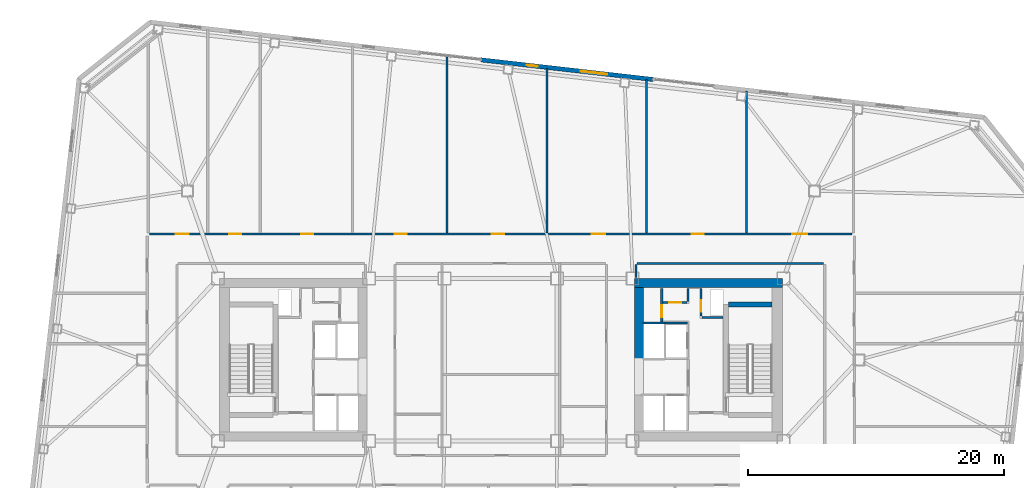
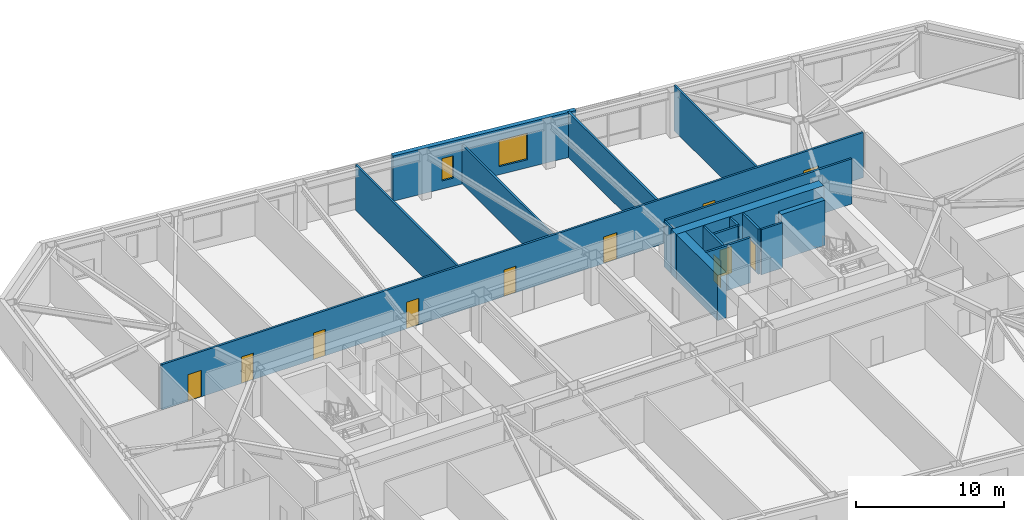
# One storey, part 13 of 19: 18 walls, 11 doors, 2 windows, 13 openings.
"""IFC4 building model written with IfcOpenShell, lengths in metres."""

from ifc_helpers import new_model, si_unit, direction, frame, frame_2d, origin, place, context, subcontext, project, spatial, rectangle, extrude, material, layer, layer_set, type_object, element, fill, save


model = new_model("IFC4")

# Units and contexts
model_context = context("Model", 3, precision=1e-05, world=origin(), true_north=direction((0.0, 1.0)))
body_context = subcontext(model_context, "Body", "Model", "MODEL_VIEW")
ifc_project = project(units=[si_unit("LENGTHUNIT", "METRE"), si_unit("AREAUNIT", "SQUARE_METRE"), si_unit("VOLUMEUNIT", "CUBIC_METRE"), si_unit("PLANEANGLEUNIT", "RADIAN"), si_unit("MASSUNIT", "GRAM", prefix="KILO")], contexts=[model_context])

# Site, building, storey
site_placement = place(None, origin())
site = spatial("IfcSite", under=ifc_project, at=site_placement, CompositionType="ELEMENT")
building_placement = place(site_placement, origin())
building = spatial("IfcBuilding", under=site, at=building_placement, Name="Tavrogorsk Clinical Tower", CompositionType="ELEMENT")
storey_placement = place(building_placement, frame((0.0, 0.0, 101.39990234375)))
storey = spatial("IfcBuildingStorey", under=building, at=storey_placement, Name="L22", CompositionType="ELEMENT", Elevation=101.39990234375)

# Wall, opening, door
ifc_material_1 = material(Name="Lightweight concrete blockwork B15", Category="masonry")
ifc_layer_1 = layer(ifc_material_1, 0.159912109375)
ifc_layer_set_1 = layer_set([ifc_layer_1], Name="Lightweight concrete blockwork B15")
wall_type_1 = type_object("IfcWallType", Name="PartitionWall_160", PredefinedType="PARTITIONING", material=ifc_layer_set_1)
wall_1_placement = place(storey_placement, frame((12.580078125, 2.9599609375, 0.0), z_axis=(0.0, 0.0, 1.0), x_axis=(0.0, 1.0, 0.0)))
wall_1 = element("IfcWall", 1, at=wall_1_placement, inside=storey, type_object=wall_type_1, Name="L22 Core East Linen Closet Wall", PredefinedType="PARTITIONING", context=body_context, shape_type="SweptSolid", body=[
    extrude(rectangle(XDim=2.60009765625, YDim=0.159912109375, at=frame_2d((1.300048828125, 0.0))), origin(), (0.0, 0.0, 1.0), 3.739990234375),
])
opening_1_placement = place(wall_1_placement, frame((0.35009765625, 0.0, 0.0)))
opening_1 = element("IfcOpeningElement", 2, at=opening_1_placement, cuts=wall_1, Name="Opening ID-02", PredefinedType="OPENING", context=body_context, shape_type="SweptSolid", body=[
    extrude(rectangle(XDim=0.949951171875, YDim=2.199951171875, at=frame_2d((0.47509765625, 1.10009765625))), frame((0.0, 0.08984375, 0.0), z_axis=(0.0, -1.0, 0.0), x_axis=(1.0, 0.0, 0.0)), (0.0, 0.0, 1.0), 0.179931640625),
])
ifc_material_2 = material(Name="Laminated timber leaf on aluminium frame", Category="wood")
door_type_1 = type_object("IfcDoorType", Name="InteriorDoor_ID02_950", OperationType="NOTDEFINED", PredefinedType="DOOR", material=ifc_material_2)
door_1_placement = place(opening_1_placement, origin())
door_1 = element("IfcDoor", 3, at=door_1_placement, inside=storey, type_object=door_type_1, Name="L22 Core East Linen Closet Door", OperationType="SINGLE_SWING_RIGHT", OverallHeight=2.199951171875, OverallWidth=0.949951171875, PredefinedType="DOOR", context=body_context, shape_type="SweptSolid", body=[
    extrude(rectangle(XDim=0.949951171875, YDim=2.199951171875, at=frame_2d((0.47509765625, 1.10009765625))), frame((0.0, 0.02490234375, 0.0), z_axis=(0.0, -1.0, 0.0), x_axis=(1.0, 0.0, 0.0)), (0.0, 0.0, 1.0), 0.050048828125),
])
fill(opening_1, door_1)

wall_2_placement = place(storey_placement, frame((12.6650390625, 4.47998046875, 0.0), z_axis=(0.0, 0.0, 1.0), x_axis=(1.0, 0.0, 0.0)))
wall_2 = element("IfcWall", 4, at=wall_2_placement, inside=storey, type_object=wall_type_1, Name="L22 Core East Housekeeping South Wall", PredefinedType="PARTITIONING", context=body_context, shape_type="SweptSolid", body=[
    extrude(rectangle(XDim=1.889892578125, YDim=0.159912109375, at=frame_2d((0.94482421875, 0.0))), origin(), (0.0, 0.0, 1.0), 3.739990234375),
])
opening_2_placement = place(wall_2_placement, frame((0.5, 0.0, 0.0)))
opening_2 = element("IfcOpeningElement", 5, at=opening_2_placement, cuts=wall_2, Name="Opening ID-02", PredefinedType="OPENING", context=body_context, shape_type="SweptSolid", body=[
    extrude(rectangle(XDim=0.949951171875, YDim=2.199951171875, at=frame_2d((0.47509765625, 1.10009765625))), frame((0.0, 0.08984375, 0.0), z_axis=(0.0, -1.0, 0.0), x_axis=(1.0, 0.0, 0.0)), (0.0, 0.0, 1.0), 0.179931640625),
])
door_2_placement = place(opening_2_placement, origin())
door_2 = element("IfcDoor", 6, at=door_2_placement, inside=storey, type_object=door_type_1, Name="L22 Core East Housekeeping Closet Door", OperationType="SINGLE_SWING_LEFT", OverallHeight=2.199951171875, OverallWidth=0.949951171875, PredefinedType="DOOR", context=body_context, shape_type="SweptSolid", body=[
    extrude(rectangle(XDim=0.949951171875, YDim=2.199951171875, at=frame_2d((0.47509765625, 1.10009765625))), frame((0.0, 0.02490234375, 0.0), z_axis=(0.0, -1.0, 0.0), x_axis=(1.0, 0.0, 0.0)), (0.0, 0.0, 1.0), 0.050048828125),
])
fill(opening_2, door_2)

# Wall
wall_3_placement = place(storey_placement, frame((14.639892578125, 4.56494140625, 0.0), z_axis=(0.0, 0.0, 1.0), x_axis=(0.0, 1.0, 0.0)))
element("IfcWall", 7, at=wall_3_placement, inside=storey, type_object=wall_type_1, Name="L22 Core East Housekeeping East Wall", PredefinedType="PARTITIONING", context=body_context, shape_type="SweptSolid", body=[
    extrude(rectangle(XDim=0.9951171875, YDim=0.159912109375, at=frame_2d((0.49755859375, 0.0))), origin(), (0.0, 0.0, 1.0), 3.739990234375),
])

# Wall, openings, doors
wall_4_placement = place(storey_placement, frame((-27.465087890625, 9.830078125, 0.0), z_axis=(0.0, 0.0, 1.0), x_axis=(1.0, 0.0, 0.0)))
wall_4 = element("IfcWall", 8, at=wall_4_placement, inside=storey, type_object=wall_type_1, Name="L22 Corridor Partition 03", PredefinedType="PARTITIONING", context=body_context, shape_type="SweptSolid", body=[
    extrude(rectangle(XDim=54.93017578125, YDim=0.159912109375, at=frame_2d((27.465087890625, 0.0))), origin(), (0.0, 0.0, 1.0), 3.739990234375),
])
opening_3_placement = place(wall_4_placement, frame((2.044189453125, 0.0, 0.0)))
opening_3 = element("IfcOpeningElement", 9, at=opening_3_placement, cuts=wall_4, Name="Opening ID-04", PredefinedType="OPENING", context=body_context, shape_type="SweptSolid", body=[
    extrude(rectangle(XDim=1.050048828125, YDim=2.199951171875, at=frame_2d((0.52490234375, 1.10009765625))), frame((0.0, 0.08984375, 0.0), z_axis=(0.0, -1.0, 0.0), x_axis=(1.0, 0.0, 0.0)), (0.0, 0.0, 1.0), 0.179931640625),
])
opening_4_placement = place(wall_4_placement, frame((6.22509765625, 0.0, 0.0)))
opening_4 = element("IfcOpeningElement", 10, at=opening_4_placement, cuts=wall_4, Name="Opening ID-02", PredefinedType="OPENING", context=body_context, shape_type="SweptSolid", body=[
    extrude(rectangle(XDim=0.949951171875, YDim=2.199951171875, at=frame_2d((0.47509765625, 1.10009765625))), frame((0.0, 0.08984375, 0.0), z_axis=(0.0, -1.0, 0.0), x_axis=(1.0, 0.0, 0.0)), (0.0, 0.0, 1.0), 0.179931640625),
])
opening_5_placement = place(wall_4_placement, frame((11.875, 0.0, 0.0)))
opening_5 = element("IfcOpeningElement", 11, at=opening_5_placement, cuts=wall_4, Name="Opening ID-02", PredefinedType="OPENING", context=body_context, shape_type="SweptSolid", body=[
    extrude(rectangle(XDim=0.949951171875, YDim=2.199951171875, at=frame_2d((0.47509765625, 1.10009765625))), frame((0.0, 0.08984375, 0.0), z_axis=(0.0, -1.0, 0.0), x_axis=(1.0, 0.0, 0.0)), (0.0, 0.0, 1.0), 0.179931640625),
])
opening_6_placement = place(wall_4_placement, frame((19.175048828125, 0.0, 0.0)))
opening_6 = element("IfcOpeningElement", 12, at=opening_6_placement, cuts=wall_4, Name="Opening ID-02", PredefinedType="OPENING", context=body_context, shape_type="SweptSolid", body=[
    extrude(rectangle(XDim=0.949951171875, YDim=2.199951171875, at=frame_2d((0.47509765625, 1.10009765625))), frame((0.0, 0.08984375, 0.0), z_axis=(0.0, -1.0, 0.0), x_axis=(1.0, 0.0, 0.0)), (0.0, 0.0, 1.0), 0.179931640625),
])
opening_7_placement = place(wall_4_placement, frame((26.77490234375, 0.0, 0.0)))
opening_7 = element("IfcOpeningElement", 13, at=opening_7_placement, cuts=wall_4, Name="Opening ID-02", PredefinedType="OPENING", context=body_context, shape_type="SweptSolid", body=[
    extrude(rectangle(XDim=0.949951171875, YDim=2.199951171875, at=frame_2d((0.47509765625, 1.10009765625))), frame((0.0, 0.08984375, 0.0), z_axis=(0.0, -1.0, 0.0), x_axis=(1.0, 0.0, 0.0)), (0.0, 0.0, 1.0), 0.179931640625),
])
opening_8_placement = place(wall_4_placement, frame((34.574951171875, 0.0, 0.0)))
opening_8 = element("IfcOpeningElement", 14, at=opening_8_placement, cuts=wall_4, Name="Opening ID-04", PredefinedType="OPENING", context=body_context, shape_type="SweptSolid", body=[
    extrude(rectangle(XDim=1.050048828125, YDim=2.199951171875, at=frame_2d((0.52490234375, 1.10009765625))), frame((0.0, 0.08984375, 0.0), z_axis=(0.0, -1.0, 0.0), x_axis=(1.0, 0.0, 0.0)), (0.0, 0.0, 1.0), 0.179931640625),
])
opening_9_placement = place(wall_4_placement, frame((42.375, 0.0, 0.0)))
opening_9 = element("IfcOpeningElement", 15, at=opening_9_placement, cuts=wall_4, Name="Opening ID-02", PredefinedType="OPENING", context=body_context, shape_type="SweptSolid", body=[
    extrude(rectangle(XDim=0.949951171875, YDim=2.199951171875, at=frame_2d((0.47509765625, 1.10009765625))), frame((0.0, 0.08984375, 0.0), z_axis=(0.0, -1.0, 0.0), x_axis=(1.0, 0.0, 0.0)), (0.0, 0.0, 1.0), 0.179931640625),
])
opening_10_placement = place(wall_4_placement, frame((50.255859375, 0.0, 0.0)))
opening_10 = element("IfcOpeningElement", 16, at=opening_10_placement, cuts=wall_4, Name="Opening ID-06", PredefinedType="OPENING", context=body_context, shape_type="SweptSolid", body=[
    extrude(rectangle(XDim=1.14990234375, YDim=2.199951171875, at=frame_2d((0.574951171875, 1.10009765625))), frame((0.0, 0.08984375, 0.0), z_axis=(0.0, -1.0, 0.0), x_axis=(1.0, 0.0, 0.0)), (0.0, 0.0, 1.0), 0.179931640625),
])
ifc_material_3 = material(Name="Antibacterial HPL consultation door on aluminium frame", Category="aluminium")
door_type_2 = type_object("IfcDoorType", Name="ConsultDoor_ID04_1050", OperationType="NOTDEFINED", PredefinedType="DOOR", material=ifc_material_3)
door_3_placement = place(opening_3_placement, origin())
door_3 = element("IfcDoor", 17, at=door_3_placement, inside=storey, type_object=door_type_2, Name="L22 North Simulation Manikin Storage Room 01 Door", OperationType="SINGLE_SWING_LEFT", OverallHeight=2.199951171875, OverallWidth=1.050048828125, PredefinedType="DOOR", context=body_context, shape_type="SweptSolid", body=[
    extrude(rectangle(XDim=1.050048828125, YDim=2.199951171875, at=frame_2d((0.52490234375, 1.10009765625))), frame((0.0, 0.02490234375, 0.0), z_axis=(0.0, -1.0, 0.0), x_axis=(1.0, 0.0, 0.0)), (0.0, 0.0, 1.0), 0.050048828125),
])
fill(opening_3, door_3)
door_4_placement = place(opening_8_placement, origin())
door_4 = element("IfcDoor", 18, at=door_4_placement, inside=storey, type_object=door_type_2, Name="L22 North Clinical Informatics Research Office 06 Door", OperationType="SINGLE_SWING_RIGHT", OverallHeight=2.199951171875, OverallWidth=1.050048828125, PredefinedType="DOOR", context=body_context, shape_type="SweptSolid", body=[
    extrude(rectangle(XDim=1.050048828125, YDim=2.199951171875, at=frame_2d((0.52490234375, 1.10009765625))), frame((0.0, 0.02490234375, 0.0), z_axis=(0.0, -1.0, 0.0), x_axis=(1.0, 0.0, 0.0)), (0.0, 0.0, 1.0), 0.050048828125),
])
fill(opening_8, door_4)
door_5_placement = place(opening_4_placement, origin())
door_5 = element("IfcDoor", 19, at=door_5_placement, inside=storey, type_object=door_type_1, Name="L22 North Clinical Informatics Research Office 02 Door", OperationType="SINGLE_SWING_RIGHT", OverallHeight=2.199951171875, OverallWidth=0.949951171875, PredefinedType="DOOR", context=body_context, shape_type="SweptSolid", body=[
    extrude(rectangle(XDim=0.949951171875, YDim=2.199951171875, at=frame_2d((0.47509765625, 1.10009765625))), frame((0.0, 0.02490234375, 0.0), z_axis=(0.0, -1.0, 0.0), x_axis=(1.0, 0.0, 0.0)), (0.0, 0.0, 1.0), 0.050048828125),
])
fill(opening_4, door_5)
door_6_placement = place(opening_5_placement, origin())
door_6 = element("IfcDoor", 20, at=door_6_placement, inside=storey, type_object=door_type_1, Name="L22 North Academic Simulation & Skills Lab 03 Door", OperationType="SINGLE_SWING_LEFT", OverallHeight=2.199951171875, OverallWidth=0.949951171875, PredefinedType="DOOR", context=body_context, shape_type="SweptSolid", body=[
    extrude(rectangle(XDim=0.949951171875, YDim=2.199951171875, at=frame_2d((0.47509765625, 1.10009765625))), frame((0.0, 0.02490234375, 0.0), z_axis=(0.0, -1.0, 0.0), x_axis=(1.0, 0.0, 0.0)), (0.0, 0.0, 1.0), 0.050048828125),
])
fill(opening_5, door_6)
door_7_placement = place(opening_6_placement, origin())
door_7 = element("IfcDoor", 21, at=door_7_placement, inside=storey, type_object=door_type_1, Name="L22 North Medical Library Reading Lounge 04 Door", OperationType="SINGLE_SWING_RIGHT", OverallHeight=2.199951171875, OverallWidth=0.949951171875, PredefinedType="DOOR", context=body_context, shape_type="SweptSolid", body=[
    extrude(rectangle(XDim=0.949951171875, YDim=2.199951171875, at=frame_2d((0.47509765625, 1.10009765625))), frame((0.0, 0.02490234375, 0.0), z_axis=(0.0, -1.0, 0.0), x_axis=(1.0, 0.0, 0.0)), (0.0, 0.0, 1.0), 0.050048828125),
])
fill(opening_6, door_7)
door_8_placement = place(opening_7_placement, origin())
door_8 = element("IfcDoor", 22, at=door_8_placement, inside=storey, type_object=door_type_1, Name="L22 North Simulation Manikin Storage Room 05 Door", OperationType="SINGLE_SWING_LEFT", OverallHeight=2.199951171875, OverallWidth=0.949951171875, PredefinedType="DOOR", context=body_context, shape_type="SweptSolid", body=[
    extrude(rectangle(XDim=0.949951171875, YDim=2.199951171875, at=frame_2d((0.47509765625, 1.10009765625))), frame((0.0, 0.02490234375, 0.0), z_axis=(0.0, -1.0, 0.0), x_axis=(1.0, 0.0, 0.0)), (0.0, 0.0, 1.0), 0.050048828125),
])
fill(opening_7, door_8)
door_9_placement = place(opening_9_placement, origin())
door_9 = element("IfcDoor", 23, at=door_9_placement, inside=storey, type_object=door_type_1, Name="L22 North Academic Simulation & Skills Lab 07 Door", OperationType="SINGLE_SWING_LEFT", OverallHeight=2.199951171875, OverallWidth=0.949951171875, PredefinedType="DOOR", context=body_context, shape_type="SweptSolid", body=[
    extrude(rectangle(XDim=0.949951171875, YDim=2.199951171875, at=frame_2d((0.47509765625, 1.10009765625))), frame((0.0, 0.02490234375, 0.0), z_axis=(0.0, -1.0, 0.0), x_axis=(1.0, 0.0, 0.0)), (0.0, 0.0, 1.0), 0.050048828125),
])
fill(opening_9, door_9)
ifc_material_4 = material(Name="Antibacterial HPL procedure door on aluminium frame", Category="aluminium")
door_type_3 = type_object("IfcDoorType", Name="LabDoor_ID06_1150", OperationType="NOTDEFINED", PredefinedType="DOOR", material=ifc_material_4)
door_10_placement = place(opening_10_placement, origin())
door_10 = element("IfcDoor", 24, at=door_10_placement, inside=storey, type_object=door_type_3, Name="L22 North Medical Library Reading Lounge 08 Door", OperationType="SINGLE_SWING_RIGHT", OverallHeight=2.199951171875, OverallWidth=1.14990234375, PredefinedType="DOOR", context=body_context, shape_type="SweptSolid", body=[
    extrude(rectangle(XDim=1.14990234375, YDim=2.199951171875, at=frame_2d((0.574951171875, 1.10009765625))), frame((0.0, 0.02490234375, 0.0), z_axis=(0.0, -1.0, 0.0), x_axis=(1.0, 0.0, 0.0)), (0.0, 0.0, 1.0), 0.050048828125),
])
fill(opening_10, door_10)

# Walls
wall_5_placement = place(storey_placement, frame((25.235107421875, 7.52001953125, 0.0), z_axis=(0.0, 0.0, 1.0), x_axis=(-1.0, 0.0, 0.0)))
element("IfcWall", 25, at=wall_5_placement, inside=storey, type_object=wall_type_1, Name="L22 Corridor Partition 09", PredefinedType="PARTITIONING", context=body_context, shape_type="SweptSolid", body=[
    extrude(rectangle(XDim=14.570068359375, YDim=0.159912109375, at=frame_2d((7.28515625, 0.0))), origin(), (0.0, 0.0, 1.0), 3.739990234375),
])
wall_6_placement = place(storey_placement, frame((10.580078125, 7.43505859375, 0.0), z_axis=(0.0, 0.0, 1.0), x_axis=(0.0, -1.0, 0.0)))
element("IfcWall", 26, at=wall_6_placement, inside=storey, type_object=wall_type_1, Name="L22 Corridor Partition 10", PredefinedType="PARTITIONING", context=body_context, shape_type="SweptSolid", body=[
    extrude(rectangle(XDim=1.01513671875, YDim=0.159912109375, at=frame_2d((0.507568359375, 0.0))), origin(), (0.0, 0.0, 1.0), 3.739990234375),
])
wall_7_placement = place(storey_placement, frame((-4.199951171875, 9.9150390625, 0.0), z_axis=(0.0, 0.0, 1.0), x_axis=(0.0, 1.0, 0.0)))
element("IfcWall", 27, at=wall_7_placement, inside=storey, type_object=wall_type_1, Name="L22 North Room Partition 4", PredefinedType="PARTITIONING", context=body_context, shape_type="SweptSolid", body=[
    extrude(rectangle(XDim=13.755859375, YDim=0.159912109375, at=frame_2d((6.8779296875, 0.0))), origin(), (0.0, 0.0, 1.0), 3.739990234375),
])
wall_8_placement = place(storey_placement, frame((3.60009765625, 9.9150390625, 0.0), z_axis=(0.0, 0.0, 1.0), x_axis=(0.0, 1.0, 0.0)))
element("IfcWall", 28, at=wall_8_placement, inside=storey, type_object=wall_type_1, Name="L22 North Room Partition 5", PredefinedType="PARTITIONING", context=body_context, shape_type="SweptSolid", body=[
    extrude(rectangle(XDim=12.8671875, YDim=0.159912109375, at=frame_2d((6.43359375, 0.0))), origin(), (0.0, 0.0, 1.0), 3.235107421875),
])
wall_9_placement = place(storey_placement, frame((11.39990234375, 9.9150390625, 0.0), z_axis=(0.0, 0.0, 1.0), x_axis=(0.0, 1.0, 0.0)))
element("IfcWall", 29, at=wall_9_placement, inside=storey, type_object=wall_type_1, Name="L22 North Room Partition 6", PredefinedType="PARTITIONING", context=body_context, shape_type="SweptSolid", body=[
    extrude(rectangle(XDim=11.978515625, YDim=0.159912109375, at=frame_2d((5.9892578125, 0.0))), origin(), (0.0, 0.0, 1.0), 3.739990234375),
])
wall_10_placement = place(storey_placement, frame((19.199951171875, 9.9150390625, 0.0), z_axis=(0.0, 0.0, 1.0), x_axis=(0.0, 1.0, 0.0)))
element("IfcWall", 30, at=wall_10_placement, inside=storey, type_object=wall_type_1, Name="L22 North Room Partition 7", PredefinedType="PARTITIONING", context=body_context, shape_type="SweptSolid", body=[
    extrude(rectangle(XDim=11.08984375, YDim=0.159912109375, at=frame_2d((5.544921875, 0.0))), origin(), (0.0, 0.0, 1.0), 3.739990234375),
])

# Wall, openings, windows
ifc_material_5 = material(Name="Precast concrete B45 with limestone cladding", Category="masonry")
ifc_layer_2 = layer(ifc_material_5, 0.340087890625)
ifc_layer_set_2 = layer_set([ifc_layer_2], Name="Precast concrete B45 with limestone cladding")
wall_type_2 = type_object("IfcWallType", Name="PrecastLimestoneWall_340", PredefinedType="STANDARD", material=ifc_layer_set_2)
wall_11_placement = place(storey_placement, frame((11.921875, 21.904541015625, 0.0), z_axis=(0.0, 0.0, 1.0), x_axis=(-0.993571685551, 0.11320470693, 0.0)))
wall_11 = element("IfcWall", 31, at=wall_11_placement, inside=storey, type_object=wall_type_2, Name="L22 N Limestone Facade Wall 2", PredefinedType="STANDARD", context=body_context, shape_type="SweptSolid", body=[
    extrude(rectangle(XDim=13.554443359375, YDim=0.340087890625, at=frame_2d((6.77734375, 0.0))), origin(), (0.0, 0.0, 1.0), 3.739990234375),
])
opening_11_placement = place(wall_11_placement, frame((9.087890625, 0.0, 0.669921875)))
opening_11 = element("IfcOpeningElement", 32, at=opening_11_placement, cuts=wall_11, Name="Opening WN-06", PredefinedType="OPENING", context=body_context, shape_type="SweptSolid", body=[
    extrude(rectangle(XDim=0.85009765625, YDim=1.85009765625, at=frame_2d((0.425048828125, 0.925048828125))), frame((0.0, 0.179931640625, 0.0), z_axis=(0.0, -1.0, 0.0), x_axis=(1.0, 0.0, 0.0)), (0.0, 0.0, 1.0), 0.360107421875),
])
opening_12_placement = place(wall_11_placement, frame((3.616455078125, 0.0, 0.669921875)))
opening_12 = element("IfcOpeningElement", 33, at=opening_12_placement, cuts=wall_11, Name="Opening WN-03", PredefinedType="OPENING", context=body_context, shape_type="SweptSolid", body=[
    extrude(rectangle(XDim=2.10009765625, YDim=2.199951171875, at=frame_2d((1.050048828125, 1.10009765625))), frame((0.0, 0.179931640625, 0.0), z_axis=(0.0, -1.0, 0.0), x_axis=(1.0, 0.0, 0.0)), (0.0, 0.0, 1.0), 0.360107421875),
])
ifc_material_6 = material(Name="Thermally broken aluminium frame and triple IGU", Category="aluminium")
window_type_1 = type_object("IfcWindowType", Name="MullionSubWin_850x1850", PartitioningType="SINGLE_PANEL", PredefinedType="WINDOW", material=ifc_material_6)
window_1_placement = place(opening_11_placement, origin())
window_1 = element("IfcWindow", 34, at=window_1_placement, inside=storey, type_object=window_type_1, Name="L22 N Mullion Split Window 05B", OverallHeight=1.85009765625, OverallWidth=0.85009765625, PartitioningType="SINGLE_PANEL", PredefinedType="WINDOW", context=body_context, shape_type="SweptSolid", body=[
    extrude(rectangle(XDim=0.85009765625, YDim=1.85009765625, at=frame_2d((0.425048828125, 0.925048828125))), frame((0.0, 0.030029296875, 0.0), z_axis=(0.0, -1.0, 0.0), x_axis=(1.0, 0.0, 0.0)), (0.0, 0.0, 1.0), 0.06005859375),
])
fill(opening_11, window_1)
ifc_material_7 = material(Name="Thermally broken aluminium frame and triple IGU", Category="aluminium")
window_type_2 = type_object("IfcWindowType", Name="PatientTwinWin_2100x2200", PartitioningType="DOUBLE_PANEL_VERTICAL", PredefinedType="WINDOW", material=ifc_material_7)
window_2_placement = place(opening_12_placement, origin())
window_2 = element("IfcWindow", 35, at=window_2_placement, inside=storey, type_object=window_type_2, Name="L22 N Chicago Window 06", OverallHeight=2.199951171875, OverallWidth=2.10009765625, PartitioningType="SINGLE_PANEL", PredefinedType="WINDOW", context=body_context, shape_type="SweptSolid", body=[
    extrude(rectangle(XDim=2.10009765625, YDim=2.199951171875, at=frame_2d((1.050048828125, 1.10009765625))), frame((0.0, 0.030029296875, 0.0), z_axis=(0.0, -1.0, 0.0), x_axis=(1.0, 0.0, 0.0)), (0.0, 0.0, 1.0), 0.06005859375),
])
fill(opening_12, window_2)

# Walls
ifc_material_8 = material(Name="Lightweight concrete blockwork B25", Category="masonry")
ifc_layer_3 = layer(ifc_material_8, 0.159912109375)
ifc_layer_set_3 = layer_set([ifc_layer_3], Name="Lightweight concrete blockwork B25")
wall_type_3 = type_object("IfcWallType", Name="ShaftWall_160", PredefinedType="PARTITIONING", material=ifc_layer_set_3)
wall_12_placement = place(storey_placement, frame((12.840087890625, 2.8798828125, 0.0), z_axis=(0.0, 0.0, 1.0), x_axis=(1.0, 0.0, 0.0)))
element("IfcWall", 36, at=wall_12_placement, inside=storey, type_object=wall_type_3, Name="L22 FFL-E Shaft North Wall", PredefinedType="PARTITIONING", context=body_context, shape_type="SweptSolid", body=[
    extrude(rectangle(XDim=1.760009765625, YDim=0.159912109375, at=frame_2d((0.8798828125, 0.0))), origin(), (0.0, 0.0, 1.0), 3.739990234375),
])
wall_13_placement = place(storey_placement, frame((11.10009765625, 2.860107421875, 0.0), z_axis=(0.0, 0.0, 1.0), x_axis=(1.0, 0.0, 0.0)))
element("IfcWall", 37, at=wall_13_placement, inside=storey, type_object=wall_type_3, Name="L22 LP-H2 High-Zone Lift Rear Wall", PredefinedType="PARTITIONING", context=body_context, shape_type="SweptSolid", body=[
    extrude(rectangle(XDim=1.719970703125, YDim=0.159912109375, at=frame_2d((0.85986328125, 0.0))), origin(), (0.0, 0.0, 1.0), 3.739990234375),
])

# Wall, opening, door
wall_14_placement = place(storey_placement, frame((15.639892578125, 3.405029296875, 0.0), z_axis=(0.0, 0.0, 1.0), x_axis=(0.0, 1.0, 0.0)))
wall_14 = element("IfcWall", 38, at=wall_14_placement, inside=storey, type_object=wall_type_3, Name="L22 Core East Riser West Wall", PredefinedType="PARTITIONING", context=body_context, shape_type="SweptSolid", body=[
    extrude(rectangle(XDim=2.155029296875, YDim=0.159912109375, at=frame_2d((1.07763671875, 0.0))), origin(), (0.0, 0.0, 1.0), 3.739990234375),
])
opening_13_placement = place(wall_14_placement, frame((0.35009765625, 0.0, 0.0)))
opening_13 = element("IfcOpeningElement", 39, at=opening_13_placement, cuts=wall_14, Name="Opening FD-02", PredefinedType="OPENING", context=body_context, shape_type="SweptSolid", body=[
    extrude(rectangle(XDim=0.89990234375, YDim=2.199951171875, at=frame_2d((0.449951171875, 1.10009765625))), frame((0.0, 0.08984375, 0.0), z_axis=(0.0, -1.0, 0.0), x_axis=(1.0, 0.0, 0.0)), (0.0, 0.0, 1.0), 0.179931640625),
])
ifc_material_9 = material(Name="Galvanised steel fire-rated door assembly", Category="steel")
door_type_4 = type_object("IfcDoorType", Name="FireDoor_FD02_900", OperationType="NOTDEFINED", PredefinedType="DOOR", material=ifc_material_9)
door_11_placement = place(opening_13_placement, origin())
door_11 = element("IfcDoor", 40, at=door_11_placement, inside=storey, type_object=door_type_4, Name="L22 Core East Electrical Riser Access Door", OperationType="SINGLE_SWING_RIGHT", OverallHeight=2.199951171875, OverallWidth=0.89990234375, PredefinedType="DOOR", context=body_context, shape_type="SweptSolid", body=[
    extrude(rectangle(XDim=0.89990234375, YDim=2.199951171875, at=frame_2d((0.449951171875, 1.10009765625))), frame((0.0, 0.02490234375, 0.0), z_axis=(0.0, -1.0, 0.0), x_axis=(1.0, 0.0, 0.0)), (0.0, 0.0, 1.0), 0.050048828125),
])
fill(opening_13, door_11)

# Walls
wall_15_placement = place(storey_placement, frame((15.72509765625, 3.320068359375, 0.0), z_axis=(0.0, 0.0, 1.0), x_axis=(1.0, 0.0, 0.0)))
element("IfcWall", 41, at=wall_15_placement, inside=storey, type_object=wall_type_3, Name="L22 Core East Riser South Wall", PredefinedType="PARTITIONING", context=body_context, shape_type="SweptSolid", body=[
    extrude(rectangle(XDim=1.65478515625, YDim=0.159912109375, at=frame_2d((0.827392578125, 0.0))), origin(), (0.0, 0.0, 1.0), 3.739990234375),
])
ifc_material_10 = material(Name="Concrete B80", Category="concrete")
ifc_layer_4 = layer(ifc_material_10, 0.39990234375)
ifc_layer_set_4 = layer_set([ifc_layer_4], Name="Concrete B80")
wall_type_4 = type_object("IfcWallType", Name="ShearWall_400", PredefinedType="SHEAR", material=ifc_layer_set_4)
wall_16_placement = place(storey_placement, frame((17.800048828125, 4.324951171875, 0.0), z_axis=(0.0, 0.0, 1.0), x_axis=(1.0, 0.0, 0.0)))
element("IfcWall", 42, at=wall_16_placement, inside=storey, type_object=wall_type_4, Name="L22 Core East Stair Shaft North Shear Wall", PredefinedType="SHEAR", context=body_context, shape_type="SweptSolid", body=[
    extrude(rectangle(XDim=3.39990234375, YDim=0.39990234375, at=frame_2d((1.699951171875, 0.0))), origin(), (0.0, 0.0, 1.0), 3.739990234375),
])
ifc_material_11 = material(Name="Concrete B80", Category="concrete")
ifc_layer_5 = layer(ifc_material_11, 0.699951171875)
ifc_layer_set_5 = layer_set([ifc_layer_5], Name="Concrete B80")
wall_type_5 = type_object("IfcWallType", Name="ShearWall_700", PredefinedType="SHEAR", material=ifc_layer_set_5)
wall_17_placement = place(storey_placement, frame((10.449951171875, 6.0, 0.0), z_axis=(0.0, 0.0, 1.0), x_axis=(1.0, 0.0, 0.0)))
element("IfcWall", 43, at=wall_17_placement, inside=storey, type_object=wall_type_5, Name="L22 Core East North Shear Wall", PredefinedType="SHEAR", context=body_context, shape_type="SweptSolid", body=[
    extrude(rectangle(XDim=11.550048828125, YDim=0.699951171875, at=frame_2d((5.77490234375, 0.0))), origin(), (0.0, 0.0, 1.0), 3.739990234375),
])
wall_18_placement = place(storey_placement, frame((10.800048828125, 0.050048828125, 0.0), z_axis=(0.0, 0.0, 1.0), x_axis=(0.0, 1.0, 0.0)))
element("IfcWall", 44, at=wall_18_placement, inside=storey, type_object=wall_type_5, Name="L22 Core East Inner North Pier", PredefinedType="SHEAR", context=body_context, shape_type="SweptSolid", body=[
    extrude(rectangle(XDim=5.599853515625, YDim=0.699951171875, at=frame_2d((2.7998046875, 0.0))), origin(), (0.0, 0.0, 1.0), 3.739990234375),
])

save(model, "model.ifc")
